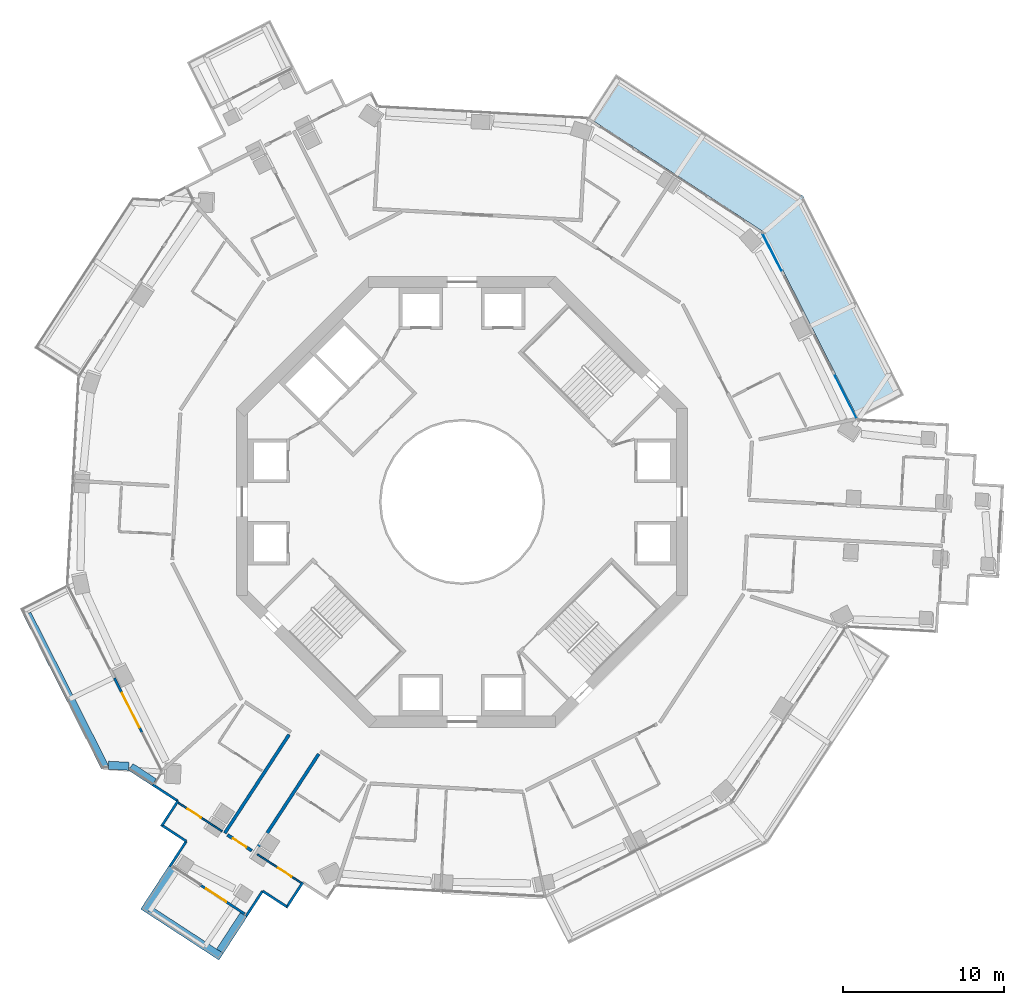
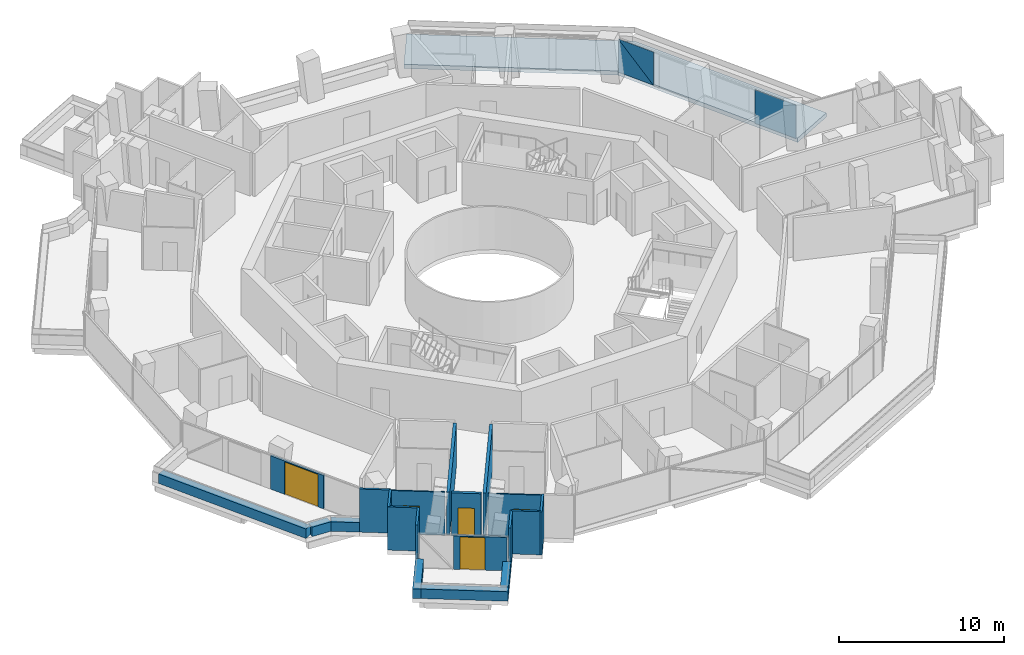
# One storey, part 15 of 23: 20 walls, 5 doors, 3 plates, 1 slab, 5 openings, 1 element without a shape of its own.
"""IFC4 building model written with IfcOpenShell, lengths in metres."""

import ifcopenshell
import ifcopenshell.guid

model = None  # the IFC model being written
_history = None  # IfcOwnerHistory: only IFC2X3 demands one
_inside = {}  # id of a spatial element -> (the spatial element, [elements in it])
_under = {}  # id of a project, library or spatial element -> (it, [spatial elements below it])
_declared = {}  # id of a project -> (the project, [libraries it declares])
_typed = {}  # id of a type object -> (the type object, [elements of that type])
_made_of = {}  # id of a material, layer set ... -> (it, [elements and type objects made of it])


def new_model(schema):
    """Start an empty IFC model of exactly this schema.

    Asked for "IFC4X3", IfcOpenShell would pick the latest addendum, in which some entities
    have other attributes; the version numbers below select the first issue.
    IFC2X3 requires an IfcOwnerHistory on every rooted entity: one is made here for all.
    """
    global model, _history
    if schema == "IFC4X3":
        model = ifcopenshell.file(schema_version=(4, 3, 0, 0))
    else:
        model = ifcopenshell.file(schema=schema)
    _inside.clear()
    _under.clear()
    _declared.clear()
    _typed.clear()
    _made_of.clear()
    _history = None
    if model.schema == "IFC2X3":
        org = make("IfcOrganization", Name="unknown")
        user = make(
            "IfcPersonAndOrganization",
            ThePerson=make("IfcPerson", FamilyName="unknown"),
            TheOrganization=org,
        )
        app = make(
            "IfcApplication",
            ApplicationDeveloper=org,
            Version="unknown",
            ApplicationFullName="unknown",
            ApplicationIdentifier="unknown",
        )
        _history = make(
            "IfcOwnerHistory",
            OwningUser=user,
            OwningApplication=app,
            ChangeAction="ADDED",
            CreationDate=0,
        )
    return model


def make(cls, **values):
    """One entity of the class cls with the attributes given. An attribute that is None is left unset."""
    return model.create_entity(
        cls, **{name: value for name, value in values.items() if value is not None}
    )


def rooted(cls, **values):
    """An entity with a GlobalId (a new one), such as an element, a storey or a relation."""
    return make(cls, GlobalId=ifcopenshell.guid.new(), OwnerHistory=_history, **values)


def si_unit(unit_type, name, prefix=None):
    """IfcSIUnit, for example si_unit("LENGTHUNIT", "METRE", prefix="MILLI")."""
    return make("IfcSIUnit", UnitType=unit_type, Prefix=prefix, Name=name)


def assignment(units):
    """IfcUnitAssignment: the units of a project."""
    return None if units is None else make("IfcUnitAssignment", Units=units)


def point(xyz):
    """IfcCartesianPoint."""
    return None if xyz is None else make("IfcCartesianPoint", Coordinates=xyz)


def direction(xyz):
    """IfcDirection."""
    return None if xyz is None else make("IfcDirection", DirectionRatios=xyz)


def frame(location, z_axis=None, x_axis=None):
    """IfcAxis2Placement3D, a coordinate frame: its origin and axes. An axis left out is left unset."""
    return make(
        "IfcAxis2Placement3D",
        Location=point(location),
        Axis=direction(z_axis),
        RefDirection=direction(x_axis),
    )


def frame_2d(location, x_axis=None):
    """IfcAxis2Placement2D, a coordinate frame in the plane: its origin and x axis."""
    return make(
        "IfcAxis2Placement2D", Location=point(location), RefDirection=direction(x_axis)
    )


def origin():
    """The frame at (0, 0, 0) with its axes left unset."""
    return frame((0.0, 0.0, 0.0))


def origin_2d():
    """The frame at (0, 0) in the plane with its x axis left unset."""
    return frame_2d((0.0, 0.0))


def place(relative_to, where):
    """IfcLocalPlacement: puts the frame where relative to a parent placement (None: the world)."""
    return make(
        "IfcLocalPlacement", PlacementRelTo=relative_to, RelativePlacement=where
    )


def context(
    kind, dimensions, precision=None, world=None, true_north=None, identifier=None
):
    """IfcGeometricRepresentationContext, for example the 3D "Model" context."""
    return make(
        "IfcGeometricRepresentationContext",
        ContextIdentifier=identifier,
        ContextType=kind,
        CoordinateSpaceDimension=dimensions,
        Precision=precision,
        WorldCoordinateSystem=world,
        TrueNorth=true_north,
    )


def subcontext(parent, identifier, kind, view, scale=None):
    """IfcGeometricRepresentationSubContext, for example "Body" below "Model"."""
    return make(
        "IfcGeometricRepresentationSubContext",
        ContextIdentifier=identifier,
        ContextType=kind,
        ParentContext=parent,
        TargetScale=scale,
        TargetView=view,
    )


def project(units=None, contexts=None):
    """IfcProject with its units and contexts."""
    return rooted(
        "IfcProject",
        Name="project",
        RepresentationContexts=contexts,
        UnitsInContext=assignment(units),
    )


def spatial(cls, under=None, at=None, **own):
    """A site, building, storey or space (cls), placed at a placement, below another one or the project."""
    s = rooted(cls, ObjectPlacement=at, **own)
    if under is not None:
        _under.setdefault(under.id(), (under, []))[1].append(s)
    return s


def polyline(points):
    """IfcPolyline through the points."""
    return make("IfcPolyline", Points=[point(p) for p in points])


def profile(cls, at=None, kind="AREA", **sizes):
    """A parametric profile (cls). Its sizes go by their IFC names, for example OverallWidth=200.0."""
    return make(cls, ProfileType=kind, Position=at, **sizes)


def rectangle(**sizes):
    """IfcRectangleProfileDef."""
    return profile("IfcRectangleProfileDef", **sizes)


def outline(outer, holes=None, kind="AREA"):
    """IfcArbitraryClosedProfileDef: a profile drawn as a closed curve; with holes, ...WithVoids."""
    if holes is None:
        return make("IfcArbitraryClosedProfileDef", ProfileType=kind, OuterCurve=outer)
    return make(
        "IfcArbitraryProfileDefWithVoids",
        ProfileType=kind,
        OuterCurve=outer,
        InnerCurves=holes,
    )


def extrude(swept, where, along, depth):
    """IfcExtrudedAreaSolid: the profile swept, set in the frame where, extruded along a direction by depth."""
    return make(
        "IfcExtrudedAreaSolid",
        SweptArea=swept,
        Position=where,
        ExtrudedDirection=direction(along),
        Depth=depth,
    )


def shape(context_of_items, identifier, shape_type, items):
    """IfcShapeRepresentation: the items that make up one representation, for example the "Body"."""
    return make(
        "IfcShapeRepresentation",
        ContextOfItems=context_of_items,
        RepresentationIdentifier=identifier,
        RepresentationType=shape_type,
        Items=items,
    )


def material(Name=None, Category=None):
    """IfcMaterial."""
    return make("IfcMaterial", Name=Name, Category=Category)


def layer(
    of_material, thickness, ventilated=None, Name=None, Category=None, Priority=None
):
    """IfcMaterialLayer: one layer of a wall or slab, of a material (None: an air gap)."""
    return make(
        "IfcMaterialLayer",
        Material=of_material,
        LayerThickness=thickness,
        IsVentilated=ventilated,
        Name=Name,
        Category=Category,
        Priority=Priority,
    )


def layer_set(layers, Name=None):
    """IfcMaterialLayerSet."""
    return make("IfcMaterialLayerSet", MaterialLayers=layers, LayerSetName=Name)


def made_of(thing, what):
    """Note that an element or type object is made of a material, layer set ...; save() writes the relation."""
    if what is not None:
        _made_of.setdefault(what.id(), (what, []))[1].append(thing)
    return thing


def type_object(cls, material=None, **own):
    """A type object (cls), such as IfcWallType, which elements share."""
    return made_of(rooted(cls, **own), material)


def element(
    cls,
    number,
    at=None,
    inside=None,
    cuts=None,
    type_object=None,
    material=None,
    context=None,
    identifier="Body",
    shape_type=None,
    held_by="IfcProductDefinitionShape",
    body=None,
    shapes=None,
    **own,
):
    """One element of the class cls, such as IfcWall. Its Tag is "e" and its number.

    at: its placement. inside: the storey or other place that contains it. cuts: it is an
    opening in that element (IfcRelVoidsElement). A single representation is given by context,
    identifier, shape_type and body (its items); several are given by shapes. held_by: the class
    of the entity that holds the representations. save() writes the other relations.
    """
    e = rooted(cls, Tag="e%d" % number, ObjectPlacement=at, **own)
    if body is not None:
        shapes = [shape(context, identifier, shape_type, body)]
    if shapes is not None:
        e.Representation = make(held_by, Representations=shapes)
    if inside is not None:
        _inside.setdefault(inside.id(), (inside, []))[1].append(e)
    if cuts is not None:
        rooted(
            "IfcRelVoidsElement", RelatingBuildingElement=cuts, RelatedOpeningElement=e
        )
    if type_object is not None:
        _typed.setdefault(type_object.id(), (type_object, []))[1].append(e)
    return made_of(e, material)


def fill(opening, filler):
    """IfcRelFillsElement: the door or window that sits in an opening."""
    return rooted(
        "IfcRelFillsElement",
        RelatingOpeningElement=opening,
        RelatedBuildingElement=filler,
    )


def aggregate(whole, parts):
    """IfcRelAggregates: a whole, such as a stair, and the parts it consists of."""
    return rooted("IfcRelAggregates", RelatingObject=whole, RelatedObjects=parts)


def save(model, path):
    """Write the relations noted so far, then the file.

    IfcRelAggregates (storeys below a building ...), IfcRelContainedInSpatialStructure (elements
    in a storey), IfcRelDefinesByType, IfcRelAssociatesMaterial and IfcRelDeclares: one each for
    every whole, place, type object, material and project.
    """
    for whole, parts in _under.values():
        aggregate(whole, parts)
    for where, things in _inside.values():
        rooted(
            "IfcRelContainedInSpatialStructure",
            RelatedElements=things,
            RelatingStructure=where,
        )
    for kind, things in _typed.values():
        rooted("IfcRelDefinesByType", RelatedObjects=things, RelatingType=kind)
    for what, things in _made_of.values():
        rooted("IfcRelAssociatesMaterial", RelatedObjects=things, RelatingMaterial=what)
    for by, libraries in _declared.values():
        rooted("IfcRelDeclares", RelatingContext=by, RelatedDefinitions=libraries)
    model.write(path)


model = new_model("IFC4")

# Units and contexts
model_context = context("Model", 3, precision=1e-05, world=origin(), true_north=direction((0.0, 1.0)))
body_context = subcontext(model_context, "Body", "Model", "MODEL_VIEW")
ifc_project = project(units=[si_unit("LENGTHUNIT", "METRE"), si_unit("AREAUNIT", "SQUARE_METRE"), si_unit("VOLUMEUNIT", "CUBIC_METRE"), si_unit("PLANEANGLEUNIT", "RADIAN"), si_unit("MASSUNIT", "GRAM", prefix="KILO")], contexts=[model_context])

# Site, building, storey
site_placement = place(None, origin())
site = spatial("IfcSite", under=ifc_project, at=site_placement, CompositionType="ELEMENT")
building_placement = place(site_placement, origin())
building = spatial("IfcBuilding", under=site, at=building_placement, Name="Verdalira Terraces Hotel", CompositionType="ELEMENT")
storey_placement = place(building_placement, frame((0.0, 0.0, 143.5)))
storey = spatial("IfcBuildingStorey", under=building, at=storey_placement, Name="L34", CompositionType="ELEMENT", Elevation=143.5)

# Slab
ifc_material_1 = material(Name="Precast concrete C40/50", Category="concrete")
ifc_layer_1 = layer(ifc_material_1, 0.31005859375)
ifc_layer_set_1 = layer_set([ifc_layer_1], Name="Balcony deck 310")
slab_type = type_object("IfcSlabType", Name="Balcony deck 310", PredefinedType="FLOOR", material=ifc_layer_set_1)
slab_placement = place(storey_placement, frame((0.0, 0.0, -0.310059)))
element("IfcSlab", 1, at=slab_placement, inside=storey, type_object=slab_type, Name="Balcony deck", PredefinedType="FLOOR", context=body_context, shape_type="SweptSolid", body=[
    extrude(outline(polyline([(9.559082, 26.548584), (7.810791, 23.868652), (18.698486, 16.765381), (24.576172, 5.170166), (27.43042, 6.616943), (21.165039, 18.977051), (9.559082, 26.548584)])), origin(), (0.0, 0.0, 1.0), 0.310059),
])

# Curtain wall, plates
ifc_material_2 = material(Name="Clear glass", Category="glass")
ifc_layer_2 = layer(ifc_material_2, 0.14990234375)
ifc_layer_set_2 = layer_set([ifc_layer_2], Name="CW1 curtain wall")
curtain_wall_type = type_object("IfcCurtainWallType", Name="CW1 curtain wall", PredefinedType="NOTDEFINED", material=ifc_layer_set_2)
curtain_wall_placement = place(storey_placement, origin())
curtain_wall = element("IfcCurtainWall", 2, at=curtain_wall_placement, inside=storey, type_object=curtain_wall_type, Name="CW1 curtain wall L34 edge 39", PredefinedType="NOTDEFINED")
ifc_material_3 = material(Name="Clear glass", Category="glass")
ifc_layer_3 = layer(ifc_material_3, 0.028076171875)
ifc_layer_set_3 = layer_set([ifc_layer_3], Name="CW1 glass unit 28")
plate_type = type_object("IfcPlateType", Name="CW1 glass unit 28", PredefinedType="CURTAIN_PANEL", material=ifc_layer_set_3)
plate_1_placement = place(storey_placement, frame((23.811768, 6.511963, 0.0), z_axis=(0.0, 0.0, 1.0), x_axis=(-0.452123386, 0.891955405, 0.0)))
plate_1 = element("IfcPlate", 3, at=plate_1_placement, type_object=plate_type, Name="CW1 glass unit", PredefinedType="CURTAIN_PANEL", context=body_context, shape_type="SweptSolid", body=[
    extrude(rectangle(XDim=2.965088, YDim=0.028076, at=origin_2d()), origin(), (0.0, 0.0, 1.0), 2.475098),
])
plate_2_placement = place(storey_placement, frame((19.244141, 15.492188, 1.237549), z_axis=(0.891955405, 0.452123386, 0.0), x_axis=(-0.452123386, 0.891955405, 0.0)))
plate_2 = element("IfcPlate", 4, at=plate_2_placement, type_object=plate_type, Name="CW1 glass unit", PredefinedType="CURTAIN_PANEL", context=body_context, shape_type="SweptSolid", body=[
    extrude(outline(polyline([(-1.282227, -1.237549), (1.282227, -1.237549), (1.282227, 1.237549), (-1.282227, -1.237549)])), origin(), (0.0, 0.0, 1.0), 0.028076),
])
plate_3_placement = place(storey_placement, frame((19.218262, 15.479004, 1.237549), z_axis=(0.891955405, 0.452123386, 0.0), x_axis=(-0.452123386, 0.891955405, 0.0)))
plate_3 = element("IfcPlate", 5, at=plate_3_placement, type_object=plate_type, Name="CW1 glass unit", PredefinedType="CURTAIN_PANEL", context=body_context, shape_type="SweptSolid", body=[
    extrude(outline(polyline([(-1.282227, -1.237549), (1.282227, 1.237549), (-1.282227, 1.237549), (-1.282227, -1.237549)])), origin(), (0.0, 0.0, 1.0), 0.028076),
])
aggregate(curtain_wall, [plate_1, plate_2, plate_3])

# Walls
ifc_material_4 = material(Name="Concrete C40", Category="concrete")
ifc_layer_4 = layer(ifc_material_4, 0.5)
ifc_layer_set_4 = layer_set([ifc_layer_4], Name="Balcony planter trough with tree")
wall_type_1 = type_object("IfcWallType", Name="Balcony planter trough with tree", PredefinedType="SOLIDWALL", material=ifc_layer_set_4)
wall_1_placement = place(storey_placement, frame((-26.981445, -6.949707, 0.0), z_axis=(0.0, 0.0, 1.0), x_axis=(0.452129645, -0.891952232, 0.0)))
element("IfcWall", 6, at=wall_1_placement, inside=storey, type_object=wall_type_1, Name="Balcony planter", PredefinedType="SOLIDWALL", context=body_context, shape_type="SweptSolid", body=[
    extrude(rectangle(XDim=10.652832, YDim=0.5, at=frame_2d((5.326416, 0.0))), origin(), (0.0, 0.0, 1.0), 0.699951),
])
wall_2_placement = place(storey_placement, frame((-21.942139, -16.338379, 0.0), z_axis=(0.0, 0.0, 1.0), x_axis=(0.998521631, -0.054355788, 0.0)))
element("IfcWall", 7, at=wall_2_placement, inside=storey, type_object=wall_type_1, Name="Balcony planter", PredefinedType="SOLIDWALL", context=body_context, shape_type="SweptSolid", body=[
    extrude(rectangle(XDim=1.262207, YDim=0.5, at=frame_2d((0.631104, 0.0))), origin(), (0.0, 0.0, 1.0), 0.699951),
])
wall_3_placement = place(storey_placement, frame((-20.559082, -16.447266, 0.0), z_axis=(0.0, 0.0, 1.0), x_axis=(0.837562899, -0.546340911, 0.0)))
element("IfcWall", 8, at=wall_3_placement, inside=storey, type_object=wall_type_1, Name="Balcony planter", PredefinedType="SOLIDWALL", context=body_context, shape_type="SweptSolid", body=[
    extrude(rectangle(XDim=1.731201, YDim=0.5, at=frame_2d((0.865723, 0.0))), origin(), (0.0, 0.0, 1.0), 0.699951),
])
wall_4_placement = place(storey_placement, frame((-17.988037, -22.722656, 0.0), z_axis=(0.0, 0.0, 1.0), x_axis=(-0.546377195, -0.837539229, 0.0)))
element("IfcWall", 9, at=wall_4_placement, inside=storey, type_object=wall_type_1, Name="Balcony planter", PredefinedType="SOLIDWALL", context=body_context, shape_type="SweptSolid", body=[
    extrude(rectangle(XDim=3.198975, YDim=0.5, at=frame_2d((1.599609, 0.0))), origin(), (0.0, 0.0, 1.0), 0.699951),
])
wall_5_placement = place(storey_placement, frame((-19.389893, -25.329102, 0.0), z_axis=(0.0, 0.0, 1.0), x_axis=(0.837529941, -0.546391432, 0.0)))
element("IfcWall", 10, at=wall_5_placement, inside=storey, type_object=wall_type_1, Name="Balcony planter", PredefinedType="SOLIDWALL", context=body_context, shape_type="SweptSolid", body=[
    extrude(rectangle(XDim=5.299805, YDim=0.5, at=frame_2d((2.649902, 0.0))), origin(), (0.0, 0.0, 1.0), 0.699951),
])
wall_6_placement = place(storey_placement, frame((-15.023926, -27.878906, 0.0), z_axis=(0.0, 0.0, 1.0), x_axis=(0.546427803, 0.837506212, 0.0)))
element("IfcWall", 11, at=wall_6_placement, inside=storey, type_object=wall_type_1, Name="Balcony planter", PredefinedType="SOLIDWALL", context=body_context, shape_type="SweptSolid", body=[
    extrude(rectangle(XDim=2.698975, YDim=0.5, at=frame_2d((1.349609, 0.0))), origin(), (0.0, 0.0, 1.0), 0.699951),
])

# Wall, opening, door
ifc_material_5 = material(Name="Moisture-resistant gypsum board partition")
ifc_layer_5 = layer(ifc_material_5, 0.10009765625)
ifc_layer_set_5 = layer_set([ifc_layer_5], Name="Bathroom partition 100 mm")
wall_type_2 = type_object("IfcWallType", Name="Bathroom partition 100 mm", PredefinedType="PARTITIONING", material=ifc_layer_set_5)
wall_7_placement = place(storey_placement, frame((-17.613281, -18.66748, 0.0), z_axis=(0.0, 0.0, 1.0), x_axis=(0.837541881, -0.54637313, 0.0)))
wall_7 = element("IfcWall", 12, at=wall_7_placement, inside=storey, type_object=wall_type_2, Name="Bathroom partition", PredefinedType="PARTITIONING", context=body_context, shape_type="SweptSolid", body=[
    extrude(rectangle(XDim=3.251709, YDim=0.100098, at=frame_2d((1.625977, 0.0))), origin(), (0.0, 0.0, 1.0), 3.189941),
])
opening_1_placement = place(wall_7_placement, frame((0.699951, 0.0, 0.0)))
opening_1 = element("IfcOpeningElement", 13, at=opening_1_placement, cuts=wall_7, Name="Opening L34-111", PredefinedType="OPENING", context=body_context, shape_type="SweptSolid", body=[
    extrude(rectangle(XDim=1.0, YDim=2.100098, at=frame_2d((0.5, 1.050049))), frame((0.0, 0.060059, 0.0), z_axis=(0.0, -1.0, 0.0), x_axis=(1.0, 0.0, 0.0)), (0.0, 0.0, 1.0), 0.120117),
])
ifc_material_6 = material(Name="Timber door", Category="wood")
door_type_1 = type_object("IfcDoorType", Name="Suite internal door 1000 x 2100", OperationType="NOTDEFINED", PredefinedType="DOOR", material=ifc_material_6)
door_1_placement = place(opening_1_placement, origin())
door_1 = element("IfcDoor", 14, at=door_1_placement, inside=storey, type_object=door_type_1, Name="Suite internal door 3405", OperationType="SINGLE_SWING_LEFT", OverallHeight=2.10009765625, OverallWidth=1.0, PredefinedType="DOOR", context=body_context, shape_type="SweptSolid", body=[
    extrude(rectangle(XDim=1.0, YDim=2.100098, at=frame_2d((0.5, 1.050049))), frame((0.0, 0.024902, 0.0), z_axis=(0.0, -1.0, 0.0), x_axis=(1.0, 0.0, 0.0)), (0.0, 0.0, 1.0), 0.050049),
])
fill(opening_1, door_1)

wall_8_placement = place(storey_placement, frame((-12.712158, -21.86499, 0.0), z_axis=(0.0, 0.0, 1.0), x_axis=(0.837564293, -0.546338774, 0.0)))
wall_8 = element("IfcWall", 15, at=wall_8_placement, inside=storey, type_object=wall_type_2, Name="Bathroom partition", PredefinedType="PARTITIONING", context=body_context, shape_type="SweptSolid", body=[
    extrude(rectangle(XDim=3.251953, YDim=0.100098, at=frame_2d((1.625977, 0.0))), origin(), (0.0, 0.0, 1.0), 3.189941),
])
opening_2_placement = place(wall_8_placement, frame((1.550049, 0.0, 0.0)))
opening_2 = element("IfcOpeningElement", 16, at=opening_2_placement, cuts=wall_8, Name="Opening L34-112", PredefinedType="OPENING", context=body_context, shape_type="SweptSolid", body=[
    extrude(rectangle(XDim=1.0, YDim=2.100098, at=frame_2d((0.5, 1.050049))), frame((0.0, 0.060059, 0.0), z_axis=(0.0, -1.0, 0.0), x_axis=(1.0, 0.0, 0.0)), (0.0, 0.0, 1.0), 0.120117),
])
door_2_placement = place(opening_2_placement, origin())
door_2 = element("IfcDoor", 17, at=door_2_placement, inside=storey, type_object=door_type_1, Name="Suite internal door 3405", OperationType="SINGLE_SWING_LEFT", OverallHeight=2.10009765625, OverallWidth=1.0, PredefinedType="DOOR", context=body_context, shape_type="SweptSolid", body=[
    extrude(rectangle(XDim=1.0, YDim=2.100098, at=frame_2d((0.5, 1.050049))), frame((0.0, 0.024902, 0.0), z_axis=(0.0, -1.0, 0.0), x_axis=(1.0, 0.0, 0.0)), (0.0, 0.0, 1.0), 0.050049),
])
fill(opening_2, door_2)

ifc_material_7 = material(Name="Fire-rated gypsum board wall")
ifc_layer_6 = layer(ifc_material_7, 0.199951171875)
ifc_layer_set_6 = layer_set([ifc_layer_6], Name="Guest corridor wall 200 mm")
wall_type_3 = type_object("IfcWallType", Name="Guest corridor wall 200 mm", PredefinedType="SOLIDWALL", material=ifc_layer_set_6)
wall_9_placement = place(storey_placement, frame((-13.045654, -21.647461, 0.0), z_axis=(0.0, 0.0, 1.0), x_axis=(-0.837465179, 0.54649069, 0.0)))
wall_9 = element("IfcWall", 18, at=wall_9_placement, inside=storey, type_object=wall_type_3, Name="Guest corridor wall", PredefinedType="SOLIDWALL", context=body_context, shape_type="SweptSolid", body=[
    extrude(rectangle(XDim=1.803955, YDim=0.199951, at=frame_2d((0.901855, 0.0))), origin(), (0.0, 0.0, 1.0), 3.189941),
])
opening_3_placement = place(wall_9_placement, frame((0.399902, 0.0, 0.0)))
opening_3 = element("IfcOpeningElement", 19, at=opening_3_placement, cuts=wall_9, Name="Opening L34-110", PredefinedType="OPENING", context=body_context, shape_type="SweptSolid", body=[
    extrude(rectangle(XDim=1.0, YDim=2.100098, at=frame_2d((0.5, 1.050049))), frame((0.0, 0.109863, 0.0), z_axis=(0.0, -1.0, 0.0), x_axis=(1.0, 0.0, 0.0)), (0.0, 0.0, 1.0), 0.219971),
])
ifc_material_8 = material(Name="Timber fire door", Category="wood")
door_type_2 = type_object("IfcDoorType", Name="Guest entry door 1000 x 2100", OperationType="NOTDEFINED", PredefinedType="DOOR", material=ifc_material_8)
door_3_placement = place(opening_3_placement, origin())
door_3 = element("IfcDoor", 20, at=door_3_placement, inside=storey, type_object=door_type_2, Name="Guest entry door 3405", OperationType="SINGLE_SWING_LEFT", OverallHeight=2.10009765625, OverallWidth=1.0, PredefinedType="DOOR", context=body_context, shape_type="SweptSolid", body=[
    extrude(rectangle(XDim=1.0, YDim=2.100098, at=frame_2d((0.5, 1.050049))), frame((0.0, 0.024902, 0.0), z_axis=(0.0, -1.0, 0.0), x_axis=(1.0, 0.0, 0.0)), (0.0, 0.0, 1.0), 0.050049),
])
fill(opening_3, door_3)

# Walls
wall_10_placement = place(storey_placement, frame((-10.733643, -14.439697, 0.0), z_axis=(0.0, 0.0, 1.0), x_axis=(-0.546414679, -0.837514775, 0.0)))
element("IfcWall", 21, at=wall_10_placement, inside=storey, type_object=wall_type_3, Name="Guest corridor wall", PredefinedType="SOLIDWALL", context=body_context, shape_type="SweptSolid", body=[
    extrude(rectangle(XDim=7.299805, YDim=0.199951, at=frame_2d((3.649902, 0.0))), origin(), (0.0, 0.0, 1.0), 3.189941),
])
wall_11_placement = place(storey_placement, frame((-12.879639, -21.755615, 0.0), z_axis=(0.0, 0.0, 1.0), x_axis=(0.546375915, 0.837540065, 0.0)))
element("IfcWall", 22, at=wall_11_placement, inside=storey, type_object=wall_type_3, Name="Guest corridor wall", PredefinedType="SOLIDWALL", context=body_context, shape_type="SweptSolid", body=[
    extrude(rectangle(XDim=7.300049, YDim=0.199951, at=frame_2d((3.649902, 0.0))), origin(), (0.0, 0.0, 1.0), 3.189941),
])
ifc_material_9 = material(Name="Terracotta cladding", Category="masonry")
ifc_layer_7 = layer(ifc_material_9, 0.14990234375)
ifc_layer_set_7 = layer_set([ifc_layer_7], Name="Terracotta clad wall 150")
wall_type_4 = type_object("IfcWallType", Name="Terracotta clad wall 150", PredefinedType="SOLIDWALL", material=ifc_layer_set_7)
wall_12_placement = place(storey_placement, frame((-19.203857, -17.540283, 0.0), z_axis=(0.0, 0.0, 1.0), x_axis=(0.837538056, -0.546378993, 0.0)))
element("IfcWall", 23, at=wall_12_placement, inside=storey, type_object=wall_type_4, Name="Terracotta cladding wall", PredefinedType="SOLIDWALL", context=body_context, shape_type="SweptSolid", body=[
    extrude(rectangle(XDim=1.875, YDim=0.149902, at=frame_2d((0.9375, 0.0))), origin(), (0.0, 0.0, 1.0), 3.189941),
])
wall_13_placement = place(storey_placement, frame((-17.633545, -18.564697, 0.0), z_axis=(0.0, 0.0, 1.0), x_axis=(-0.54644153, -0.837497256, 0.0)))
element("IfcWall", 24, at=wall_13_placement, inside=storey, type_object=wall_type_4, Name="Terracotta cladding wall", PredefinedType="SOLIDWALL", context=body_context, shape_type="SweptSolid", body=[
    extrude(rectangle(XDim=1.800049, YDim=0.149902, at=frame_2d((0.899902, 0.0))), origin(), (0.0, 0.0, 1.0), 3.189941),
])
for number, where, z_axis, x_axis, name in (
    (25, (-18.679932, -20.03125, 0.0), (0.0, 0.0, 1.0), (0.837538056, -0.546378993, 0.0), "Terracotta cladding wall"),
    (26, (-17.109619, -21.055664, 0.0), (0.0, 0.0, 1.0), (-0.546378993, -0.837538056, 0.0), "Terracotta cladding wall"),
    (27, (-13.4021, -25.713135, 0.0), (0.0, 0.0, 1.0), (0.546470325, 0.837478468, 0.0), "Terracotta cladding wall"),
):
    element("IfcWall", number, at=place(storey_placement, frame(where, z_axis=z_axis, x_axis=x_axis)), inside=storey, type_object=wall_type_4, Name=name, PredefinedType="SOLIDWALL", context=body_context, shape_type="SweptSolid", body=[
        extrude(rectangle(XDim=1.875, YDim=0.149902, at=frame_2d((0.9375, 0.0))), origin(), (0.0, 0.0, 1.0), 3.189941),
    ])
wall_14_placement = place(storey_placement, frame((-12.377441, -24.142822, 0.0), z_axis=(0.0, 0.0, 1.0), x_axis=(0.837497256, -0.54644153, 0.0)))
element("IfcWall", 28, at=wall_14_placement, inside=storey, type_object=wall_type_4, Name="Terracotta cladding wall", PredefinedType="SOLIDWALL", context=body_context, shape_type="SweptSolid", body=[
    extrude(rectangle(XDim=1.800049, YDim=0.149902, at=frame_2d((0.899902, 0.0))), origin(), (0.0, 0.0, 1.0), 3.189941),
])
wall_15_placement = place(storey_placement, frame((-10.910889, -25.189209, 0.0), z_axis=(0.0, 0.0, 1.0), x_axis=(0.546378993, 0.837538056, 0.0)))
element("IfcWall", 29, at=wall_15_placement, inside=storey, type_object=wall_type_4, Name="Terracotta cladding wall", PredefinedType="SOLIDWALL", context=body_context, shape_type="SweptSolid", body=[
    extrude(rectangle(XDim=1.875, YDim=0.149902, at=frame_2d((0.9375, 0.0))), origin(), (0.0, 0.0, 1.0), 3.189941),
])

# Wall, opening, door
ifc_material_10 = material(Name="Terracotta cladding", Category="masonry")
ifc_layer_8 = layer(ifc_material_10, 0.14990234375)
ifc_layer_set_8 = layer_set([ifc_layer_8], Name="Terracotta door pier 150")
wall_type_5 = type_object("IfcWallType", Name="Terracotta door pier 150", PredefinedType="SOLIDWALL", material=ifc_layer_set_8)
wall_16_placement = place(storey_placement, frame((-21.570557, -10.933838, 0.0), z_axis=(0.0, 0.0, 1.0), x_axis=(0.452120787, -0.891956722, 0.0)))
wall_16 = element("IfcWall", 30, at=wall_16_placement, inside=storey, type_object=wall_type_5, Name="Terracotta door pier", PredefinedType="SOLIDWALL", context=body_context, shape_type="SweptSolid", body=[
    extrude(rectangle(XDim=3.835449, YDim=0.149902, at=frame_2d((1.917725, 0.0))), origin(), (0.0, 0.0, 1.0), 2.475098),
])
opening_4_placement = place(wall_16_placement, frame((1.0354, 0.0, 0.0)))
opening_4 = element("IfcOpeningElement", 31, at=opening_4_placement, cuts=wall_16, Name="Opening L34-B05", PredefinedType="OPENING", context=body_context, shape_type="SweptSolid", body=[
    extrude(rectangle(XDim=2.399902, YDim=2.399902, at=frame_2d((1.199951, 1.199951))), frame((0.0, 0.084961, 0.0), z_axis=(0.0, -1.0, 0.0), x_axis=(1.0, 0.0, 0.0)), (0.0, 0.0, 1.0), 0.169922),
])
ifc_material_11 = material(Name="Clear glass", Category="glass")
door_type_3 = type_object("IfcDoorType", Name="Balcony sliding door 2400x2400", OperationType="NOTDEFINED", PredefinedType="DOOR", material=ifc_material_11)
door_4_placement = place(opening_4_placement, origin())
door_4 = element("IfcDoor", 32, at=door_4_placement, inside=storey, type_object=door_type_3, Name="Balcony sliding door", OperationType="SLIDING_TO_LEFT", OverallHeight=2.39990234375, OverallWidth=2.39990234375, PredefinedType="DOOR", context=body_context, shape_type="SweptSolid", body=[
    extrude(rectangle(XDim=2.399902, YDim=2.399902, at=frame_2d((1.199951, 1.199951))), frame((0.0, 0.024902, 0.0), z_axis=(0.0, -1.0, 0.0), x_axis=(1.0, 0.0, 0.0)), (0.0, 0.0, 1.0), 0.050049),
])
fill(opening_4, door_4)

wall_17_placement = place(storey_placement, frame((-16.221191, -23.784424, 0.0), z_axis=(0.0, 0.0, 1.0), x_axis=(0.837516721, -0.546411696, 0.0)))
wall_17 = element("IfcWall", 33, at=wall_17_placement, inside=storey, type_object=wall_type_5, Name="Terracotta door pier", PredefinedType="SOLIDWALL", context=body_context, shape_type="SweptSolid", body=[
    extrude(rectangle(XDim=3.26001, YDim=0.149902, at=frame_2d((1.629883, 0.0))), origin(), (0.0, 0.0, 1.0), 2.475098),
])
opening_5_placement = place(wall_17_placement, frame((0.399902, 0.0, 0.0)))
opening_5 = element("IfcOpeningElement", 34, at=opening_5_placement, cuts=wall_17, Name="Opening L34-B06", PredefinedType="OPENING", context=body_context, shape_type="SweptSolid", body=[
    extrude(rectangle(XDim=1.5, YDim=2.399902, at=frame_2d((0.75, 1.199951))), frame((0.0, 0.084961, 0.0), z_axis=(0.0, -1.0, 0.0), x_axis=(1.0, 0.0, 0.0)), (0.0, 0.0, 1.0), 0.169922),
])
ifc_material_12 = material(Name="Clear glass", Category="glass")
door_type_4 = type_object("IfcDoorType", Name="Balcony sliding door 1500x2400", OperationType="NOTDEFINED", PredefinedType="DOOR", material=ifc_material_12)
door_5_placement = place(opening_5_placement, origin())
door_5 = element("IfcDoor", 35, at=door_5_placement, inside=storey, type_object=door_type_4, Name="Balcony sliding door", OperationType="SLIDING_TO_RIGHT", OverallHeight=2.39990234375, OverallWidth=1.5, PredefinedType="DOOR", context=body_context, shape_type="SweptSolid", body=[
    extrude(rectangle(XDim=1.5, YDim=2.399902, at=frame_2d((0.75, 1.199951))), frame((0.0, 0.024902, 0.0), z_axis=(0.0, -1.0, 0.0), x_axis=(1.0, 0.0, 0.0)), (0.0, 0.0, 1.0), 0.050049),
])
fill(opening_5, door_5)

save(model, "model.ifc")
